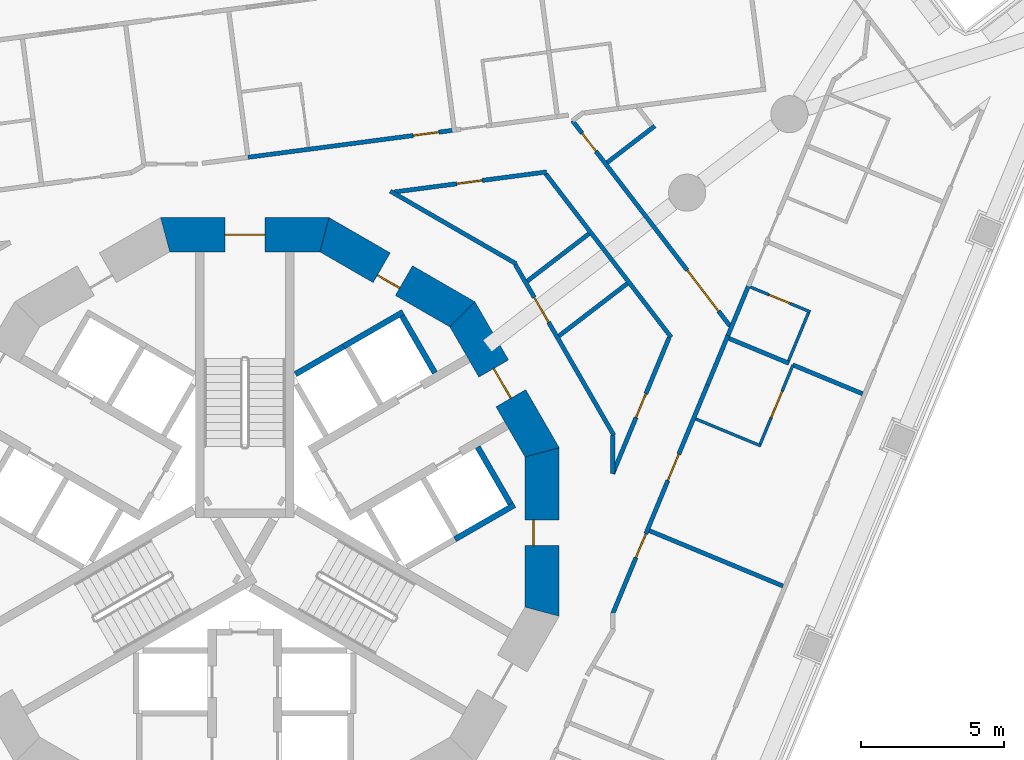
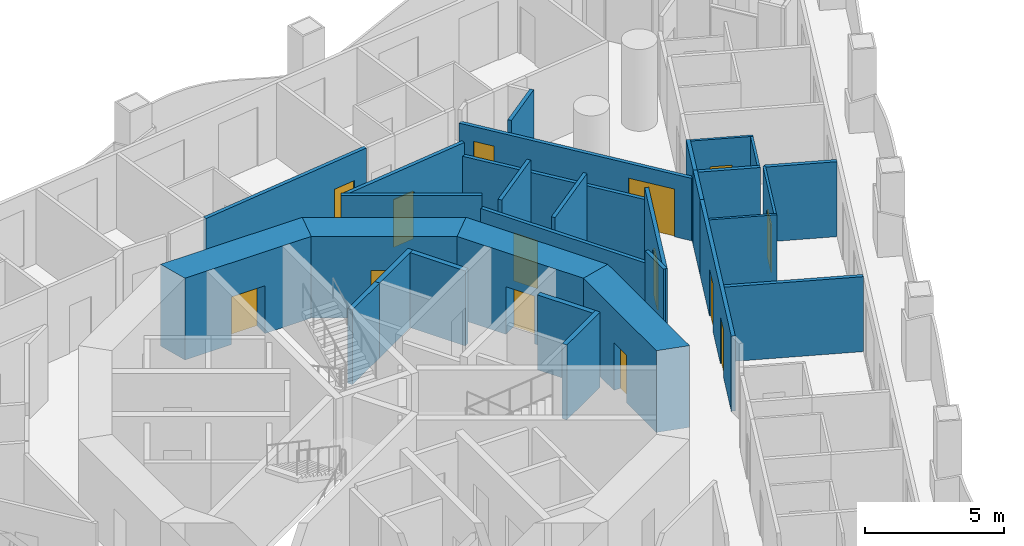
# One storey, part 9 of 19: 30 walls, 14 doors, 14 openings.
"""IFC4 building model written with IfcOpenShell, lengths in metres."""

import ifcopenshell
import ifcopenshell.guid

model = None  # the IFC model being written
_history = None  # IfcOwnerHistory: only IFC2X3 demands one
_inside = {}  # id of a spatial element -> (the spatial element, [elements in it])
_under = {}  # id of a project, library or spatial element -> (it, [spatial elements below it])
_declared = {}  # id of a project -> (the project, [libraries it declares])
_typed = {}  # id of a type object -> (the type object, [elements of that type])
_made_of = {}  # id of a material, layer set ... -> (it, [elements and type objects made of it])


def new_model(schema):
    """Start an empty IFC model of exactly this schema.

    Asked for "IFC4X3", IfcOpenShell would pick the latest addendum, in which some entities
    have other attributes; the version numbers below select the first issue.
    IFC2X3 requires an IfcOwnerHistory on every rooted entity: one is made here for all.
    """
    global model, _history
    if schema == "IFC4X3":
        model = ifcopenshell.file(schema_version=(4, 3, 0, 0))
    else:
        model = ifcopenshell.file(schema=schema)
    _inside.clear()
    _under.clear()
    _declared.clear()
    _typed.clear()
    _made_of.clear()
    _history = None
    if model.schema == "IFC2X3":
        org = make("IfcOrganization", Name="unknown")
        user = make(
            "IfcPersonAndOrganization",
            ThePerson=make("IfcPerson", FamilyName="unknown"),
            TheOrganization=org,
        )
        app = make(
            "IfcApplication",
            ApplicationDeveloper=org,
            Version="unknown",
            ApplicationFullName="unknown",
            ApplicationIdentifier="unknown",
        )
        _history = make(
            "IfcOwnerHistory",
            OwningUser=user,
            OwningApplication=app,
            ChangeAction="ADDED",
            CreationDate=0,
        )
    return model


def make(cls, **values):
    """One entity of the class cls with the attributes given. An attribute that is None is left unset."""
    return model.create_entity(
        cls, **{name: value for name, value in values.items() if value is not None}
    )


def rooted(cls, **values):
    """An entity with a GlobalId (a new one), such as an element, a storey or a relation."""
    return make(cls, GlobalId=ifcopenshell.guid.new(), OwnerHistory=_history, **values)


def si_unit(unit_type, name, prefix=None):
    """IfcSIUnit, for example si_unit("LENGTHUNIT", "METRE", prefix="MILLI")."""
    return make("IfcSIUnit", UnitType=unit_type, Prefix=prefix, Name=name)


def assignment(units):
    """IfcUnitAssignment: the units of a project."""
    return None if units is None else make("IfcUnitAssignment", Units=units)


def point(xyz):
    """IfcCartesianPoint."""
    return None if xyz is None else make("IfcCartesianPoint", Coordinates=xyz)


def direction(xyz):
    """IfcDirection."""
    return None if xyz is None else make("IfcDirection", DirectionRatios=xyz)


def frame(location, z_axis=None, x_axis=None):
    """IfcAxis2Placement3D, a coordinate frame: its origin and axes. An axis left out is left unset."""
    return make(
        "IfcAxis2Placement3D",
        Location=point(location),
        Axis=direction(z_axis),
        RefDirection=direction(x_axis),
    )


def frame_2d(location, x_axis=None):
    """IfcAxis2Placement2D, a coordinate frame in the plane: its origin and x axis."""
    return make(
        "IfcAxis2Placement2D", Location=point(location), RefDirection=direction(x_axis)
    )


def origin():
    """The frame at (0, 0, 0) with its axes left unset."""
    return frame((0.0, 0.0, 0.0))


def place(relative_to, where):
    """IfcLocalPlacement: puts the frame where relative to a parent placement (None: the world)."""
    return make(
        "IfcLocalPlacement", PlacementRelTo=relative_to, RelativePlacement=where
    )


def context(
    kind, dimensions, precision=None, world=None, true_north=None, identifier=None
):
    """IfcGeometricRepresentationContext, for example the 3D "Model" context."""
    return make(
        "IfcGeometricRepresentationContext",
        ContextIdentifier=identifier,
        ContextType=kind,
        CoordinateSpaceDimension=dimensions,
        Precision=precision,
        WorldCoordinateSystem=world,
        TrueNorth=true_north,
    )


def subcontext(parent, identifier, kind, view, scale=None):
    """IfcGeometricRepresentationSubContext, for example "Body" below "Model"."""
    return make(
        "IfcGeometricRepresentationSubContext",
        ContextIdentifier=identifier,
        ContextType=kind,
        ParentContext=parent,
        TargetScale=scale,
        TargetView=view,
    )


def project(units=None, contexts=None):
    """IfcProject with its units and contexts."""
    return rooted(
        "IfcProject",
        Name="project",
        RepresentationContexts=contexts,
        UnitsInContext=assignment(units),
    )


def spatial(cls, under=None, at=None, **own):
    """A site, building, storey or space (cls), placed at a placement, below another one or the project."""
    s = rooted(cls, ObjectPlacement=at, **own)
    if under is not None:
        _under.setdefault(under.id(), (under, []))[1].append(s)
    return s


def polyline(points):
    """IfcPolyline through the points."""
    return make("IfcPolyline", Points=[point(p) for p in points])


def profile(cls, at=None, kind="AREA", **sizes):
    """A parametric profile (cls). Its sizes go by their IFC names, for example OverallWidth=200.0."""
    return make(cls, ProfileType=kind, Position=at, **sizes)


def rectangle(**sizes):
    """IfcRectangleProfileDef."""
    return profile("IfcRectangleProfileDef", **sizes)


def outline(outer, holes=None, kind="AREA"):
    """IfcArbitraryClosedProfileDef: a profile drawn as a closed curve; with holes, ...WithVoids."""
    if holes is None:
        return make("IfcArbitraryClosedProfileDef", ProfileType=kind, OuterCurve=outer)
    return make(
        "IfcArbitraryProfileDefWithVoids",
        ProfileType=kind,
        OuterCurve=outer,
        InnerCurves=holes,
    )


def extrude(swept, where, along, depth):
    """IfcExtrudedAreaSolid: the profile swept, set in the frame where, extruded along a direction by depth."""
    return make(
        "IfcExtrudedAreaSolid",
        SweptArea=swept,
        Position=where,
        ExtrudedDirection=direction(along),
        Depth=depth,
    )


def shape(context_of_items, identifier, shape_type, items):
    """IfcShapeRepresentation: the items that make up one representation, for example the "Body"."""
    return make(
        "IfcShapeRepresentation",
        ContextOfItems=context_of_items,
        RepresentationIdentifier=identifier,
        RepresentationType=shape_type,
        Items=items,
    )


def material(Name=None, Category=None):
    """IfcMaterial."""
    return make("IfcMaterial", Name=Name, Category=Category)


def layer(
    of_material, thickness, ventilated=None, Name=None, Category=None, Priority=None
):
    """IfcMaterialLayer: one layer of a wall or slab, of a material (None: an air gap)."""
    return make(
        "IfcMaterialLayer",
        Material=of_material,
        LayerThickness=thickness,
        IsVentilated=ventilated,
        Name=Name,
        Category=Category,
        Priority=Priority,
    )


def layer_set(layers, Name=None):
    """IfcMaterialLayerSet."""
    return make("IfcMaterialLayerSet", MaterialLayers=layers, LayerSetName=Name)


def made_of(thing, what):
    """Note that an element or type object is made of a material, layer set ...; save() writes the relation."""
    if what is not None:
        _made_of.setdefault(what.id(), (what, []))[1].append(thing)
    return thing


def type_object(cls, material=None, **own):
    """A type object (cls), such as IfcWallType, which elements share."""
    return made_of(rooted(cls, **own), material)


def element(
    cls,
    number,
    at=None,
    inside=None,
    cuts=None,
    type_object=None,
    material=None,
    context=None,
    identifier="Body",
    shape_type=None,
    held_by="IfcProductDefinitionShape",
    body=None,
    shapes=None,
    **own,
):
    """One element of the class cls, such as IfcWall. Its Tag is "e" and its number.

    at: its placement. inside: the storey or other place that contains it. cuts: it is an
    opening in that element (IfcRelVoidsElement). A single representation is given by context,
    identifier, shape_type and body (its items); several are given by shapes. held_by: the class
    of the entity that holds the representations. save() writes the other relations.
    """
    e = rooted(cls, Tag="e%d" % number, ObjectPlacement=at, **own)
    if body is not None:
        shapes = [shape(context, identifier, shape_type, body)]
    if shapes is not None:
        e.Representation = make(held_by, Representations=shapes)
    if inside is not None:
        _inside.setdefault(inside.id(), (inside, []))[1].append(e)
    if cuts is not None:
        rooted(
            "IfcRelVoidsElement", RelatingBuildingElement=cuts, RelatedOpeningElement=e
        )
    if type_object is not None:
        _typed.setdefault(type_object.id(), (type_object, []))[1].append(e)
    return made_of(e, material)


def fill(opening, filler):
    """IfcRelFillsElement: the door or window that sits in an opening."""
    return rooted(
        "IfcRelFillsElement",
        RelatingOpeningElement=opening,
        RelatedBuildingElement=filler,
    )


def aggregate(whole, parts):
    """IfcRelAggregates: a whole, such as a stair, and the parts it consists of."""
    return rooted("IfcRelAggregates", RelatingObject=whole, RelatedObjects=parts)


def save(model, path):
    """Write the relations noted so far, then the file.

    IfcRelAggregates (storeys below a building ...), IfcRelContainedInSpatialStructure (elements
    in a storey), IfcRelDefinesByType, IfcRelAssociatesMaterial and IfcRelDeclares: one each for
    every whole, place, type object, material and project.
    """
    for whole, parts in _under.values():
        aggregate(whole, parts)
    for where, things in _inside.values():
        rooted(
            "IfcRelContainedInSpatialStructure",
            RelatedElements=things,
            RelatingStructure=where,
        )
    for kind, things in _typed.values():
        rooted("IfcRelDefinesByType", RelatedObjects=things, RelatingType=kind)
    for what, things in _made_of.values():
        rooted("IfcRelAssociatesMaterial", RelatedObjects=things, RelatingMaterial=what)
    for by, libraries in _declared.values():
        rooted("IfcRelDeclares", RelatingContext=by, RelatedDefinitions=libraries)
    model.write(path)


model = new_model("IFC4")

# Units and contexts
model_context = context("Model", 3, precision=1e-05, world=origin(), true_north=direction((0.0, 1.0)))
body_context = subcontext(model_context, "Body", "Model", "MODEL_VIEW")
ifc_project = project(units=[si_unit("LENGTHUNIT", "METRE"), si_unit("AREAUNIT", "SQUARE_METRE"), si_unit("VOLUMEUNIT", "CUBIC_METRE"), si_unit("PLANEANGLEUNIT", "RADIAN"), si_unit("MASSUNIT", "GRAM", prefix="KILO")], contexts=[model_context])

# Site, building, storey
site_placement = place(None, origin())
site = spatial("IfcSite", under=ifc_project, at=site_placement, CompositionType="ELEMENT")
building_placement = place(site_placement, origin())
building = spatial("IfcBuilding", under=site, at=building_placement, Name="Trine Commons Tower", CompositionType="ELEMENT")
storey_placement = place(building_placement, frame((0.0, 0.0, 75.60009765625)))
storey = spatial("IfcBuildingStorey", under=building, at=storey_placement, Name="L18", CompositionType="ELEMENT", Elevation=75.60009765625)

# Wall, opening, door
ifc_material_1 = material(Name="Concrete C80/95", Category="concrete")
ifc_layer_1 = layer(ifc_material_1, 1.199951171875)
ifc_layer_set_1 = layer_set([ifc_layer_1], Name="Concrete C80/95")
wall_type_1 = type_object("IfcWallType", Name="RC shear wall 1200 mm, C80/95", PredefinedType="SHEAR", material=ifc_layer_set_1)
wall_1_placement = place(storey_placement, frame((90.41162109375, 59.549560546875, 0.0), z_axis=(0.0, 0.0, 1.0), x_axis=(0.0, 1.0, 0.0)))
wall_1 = element("IfcWall", 1, at=wall_1_placement, inside=storey, type_object=wall_type_1, Name="Core wall CWB-01 L18", PredefinedType="SHEAR", context=body_context, shape_type="SweptSolid", body=[
    extrude(outline(polyline([(0.0, -0.60009765625), (5.90087890625, -0.60009765625), (5.57958984375, 0.60009765625), (0.321533203125, 0.60009765625), (0.0, -0.60009765625)])), origin(), (0.0, 0.0, 1.0), 3.599853515625),
])
opening_1_placement = place(wall_1_placement, frame((2.4755859375, 0.0, 0.0)))
opening_1 = element("IfcOpeningElement", 2, at=opening_1_placement, cuts=wall_1, Name="Opening K05.16", PredefinedType="OPENING", context=body_context, shape_type="SweptSolid", body=[
    extrude(rectangle(XDim=0.89990234375, YDim=2.10009765625, at=frame_2d((0.449951171875, 1.050048828125))), frame((0.0, 0.60986328125, 0.0), z_axis=(0.0, -1.0, 0.0), x_axis=(1.0, 0.0, 0.0)), (0.0, 0.0, 1.0), 1.219970703125),
])
ifc_material_2 = material(Name="Steel door leaf, fire-rated", Category="steel")
door_type_1 = type_object("IfcDoorType", Name="Core room door, single leaf 900 x 2100, FD30S", OperationType="SINGLE_SWING_LEFT", PredefinedType="DOOR", material=ifc_material_2)
door_1_placement = place(opening_1_placement, origin())
door_1 = element("IfcDoor", 3, at=door_1_placement, inside=storey, type_object=door_type_1, Name="Door to Accessible WC L18", OperationType="SINGLE_SWING_LEFT", OverallHeight=2.10009765625, OverallWidth=0.89990234375, PredefinedType="DOOR", context=body_context, shape_type="SweptSolid", body=[
    extrude(rectangle(XDim=0.89990234375, YDim=2.10009765625, at=frame_2d((0.449951171875, 1.050048828125))), frame((0.0, 0.3251953125, 0.0), z_axis=(0.0, -1.0, 0.0), x_axis=(1.0, 0.0, 0.0)), (0.0, 0.0, 1.0), 0.050048828125),
])
fill(opening_1, door_1)

wall_2_placement = place(storey_placement, frame((90.491943359375, 65.150390625, 0.0), z_axis=(0.0, 0.0, 1.0), x_axis=(-0.499979111662, 0.866037463336, 0.0)))
wall_2 = element("IfcWall", 4, at=wall_2_placement, inside=storey, type_object=wall_type_1, Name="Core wall CWB-02 L18", PredefinedType="SHEAR", context=body_context, shape_type="SweptSolid", body=[
    extrude(outline(polyline([(0.0, -0.60009765625), (5.901123046875, -0.60009765625), (5.57958984375, 0.60009765625), (0.321533203125, 0.60009765625), (0.0, -0.60009765625)])), origin(), (0.0, 0.0, 1.0), 3.599853515625),
])
opening_2_placement = place(wall_2_placement, frame((2.3505859375, 0.0, 0.0)))
opening_2 = element("IfcOpeningElement", 5, at=opening_2_placement, cuts=wall_2, Name="Opening K05.04", PredefinedType="OPENING", context=body_context, shape_type="SweptSolid", body=[
    extrude(rectangle(XDim=1.199951171875, YDim=2.10009765625, at=frame_2d((0.60009765625, 1.050048828125))), frame((0.0, 0.60986328125, 0.0), z_axis=(0.0, -1.0, 0.0), x_axis=(1.0, 0.0, 0.0)), (0.0, 0.0, 1.0), 1.219970703125),
])
ifc_material_3 = material(Name="Steel door leaves, fire-rated", Category="steel")
door_type_2 = type_object("IfcDoorType", Name="Lobby door, double leaf 1200 x 2100, FD60", OperationType="DOUBLE_DOOR_SINGLE_SWING", PredefinedType="DOOR", material=ifc_material_3)
door_2_placement = place(opening_2_placement, origin())
door_2 = element("IfcDoor", 6, at=door_2_placement, inside=storey, type_object=door_type_2, Name="Lobby door, Passenger lift lobby A L18", OperationType="DOUBLE_DOOR_SINGLE_SWING", OverallHeight=2.10009765625, OverallWidth=1.199951171875, PredefinedType="DOOR", context=body_context, shape_type="SweptSolid", body=[
    extrude(rectangle(XDim=1.199951171875, YDim=2.10009765625, at=frame_2d((0.60009765625, 1.050048828125))), frame((0.0, 0.02490234375, 0.0), z_axis=(0.0, -1.0, 0.0), x_axis=(1.0, 0.0, 0.0)), (0.0, 0.0, 1.0), 0.050048828125),
])
fill(opening_2, door_2)

wall_3_placement = place(storey_placement, frame((87.760986328125, 70.04150390625, 0.0), z_axis=(0.0, 0.0, 1.0), x_axis=(-0.866037463336, 0.499979111662, 0.0)))
wall_3 = element("IfcWall", 7, at=wall_3_placement, inside=storey, type_object=wall_type_1, Name="Core wall CWB-03 L18", PredefinedType="SHEAR", context=body_context, shape_type="SweptSolid", body=[
    extrude(outline(polyline([(0.0, -0.60009765625), (5.901123046875, -0.60009765625), (5.57958984375, 0.60009765625), (0.321533203125, 0.60009765625), (0.0, -0.60009765625)])), origin(), (0.0, 0.0, 1.0), 3.599853515625),
])
opening_3_placement = place(wall_3_placement, frame((2.526611328125, 0.0, 0.0)))
opening_3 = element("IfcOpeningElement", 8, at=opening_3_placement, cuts=wall_3, Name="Opening K05.11", PredefinedType="OPENING", context=body_context, shape_type="SweptSolid", body=[
    extrude(rectangle(XDim=0.89990234375, YDim=2.10009765625, at=frame_2d((0.449951171875, 1.050048828125))), frame((0.0, 0.60986328125, 0.0), z_axis=(0.0, -1.0, 0.0), x_axis=(1.0, 0.0, 0.0)), (0.0, 0.0, 1.0), 1.219970703125),
])
door_3_placement = place(opening_3_placement, origin())
door_3 = element("IfcDoor", 9, at=door_3_placement, inside=storey, type_object=door_type_1, Name="Door to Core WC L18", OperationType="SINGLE_SWING_RIGHT", OverallHeight=2.10009765625, OverallWidth=0.89990234375, PredefinedType="DOOR", context=body_context, shape_type="SweptSolid", body=[
    extrude(rectangle(XDim=0.89990234375, YDim=2.10009765625, at=frame_2d((0.449951171875, 1.050048828125))), frame((0.0, 0.3251953125, 0.0), z_axis=(0.0, -1.0, 0.0), x_axis=(1.0, 0.0, 0.0)), (0.0, 0.0, 1.0), 0.050048828125),
])
fill(opening_3, door_3)

wall_4_placement = place(storey_placement, frame((82.950439453125, 72.91162109375, 0.0), z_axis=(0.0, 0.0, 1.0), x_axis=(-1.0, 0.0, 0.0)))
wall_4 = element("IfcWall", 10, at=wall_4_placement, inside=storey, type_object=wall_type_1, Name="Core wall CWB-04 L18", PredefinedType="SHEAR", context=body_context, shape_type="SweptSolid", body=[
    extrude(outline(polyline([(0.0, -0.60009765625), (5.90087890625, -0.60009765625), (5.57958984375, 0.60009765625), (0.321533203125, 0.60009765625), (0.0, -0.60009765625)])), origin(), (0.0, 0.0, 1.0), 3.599853515625),
])
opening_4_placement = place(wall_4_placement, frame((2.25048828125, 0.0, 0.0)))
opening_4 = element("IfcOpeningElement", 11, at=opening_4_placement, cuts=wall_4, Name="Opening K05.01", PredefinedType="OPENING", context=body_context, shape_type="SweptSolid", body=[
    extrude(rectangle(XDim=1.39990234375, YDim=2.10009765625, at=frame_2d((0.699951171875, 1.050048828125))), frame((0.0, 0.60986328125, 0.0), z_axis=(0.0, -1.0, 0.0), x_axis=(1.0, 0.0, 0.0)), (0.0, 0.0, 1.0), 1.219970703125),
])
door_type_3 = type_object("IfcDoorType", Name="Stair door, double leaf 1400 x 2100, FD90", OperationType="DOUBLE_DOOR_SINGLE_SWING", PredefinedType="DOOR", material=ifc_material_3)
door_4_placement = place(opening_4_placement, origin())
door_4 = element("IfcDoor", 12, at=door_4_placement, inside=storey, type_object=door_type_3, Name="Stair door to Exit stair ST1A L18", OperationType="DOUBLE_DOOR_SINGLE_SWING", OverallHeight=2.10009765625, OverallWidth=1.39990234375, PredefinedType="DOOR", context=body_context, shape_type="SweptSolid", body=[
    extrude(rectangle(XDim=1.39990234375, YDim=2.10009765625, at=frame_2d((0.699951171875, 1.050048828125))), frame((0.0, 0.02490234375, 0.0), z_axis=(0.0, -1.0, 0.0), x_axis=(1.0, 0.0, 0.0)), (0.0, 0.0, 1.0), 0.050048828125),
])
fill(opening_4, door_4)

# Walls
ifc_material_4 = material(Name="Fire-rated gypsum shaft wall system")
ifc_layer_2 = layer(ifc_material_4, 0.199951171875)
ifc_layer_set_2 = layer_set([ifc_layer_2], Name="Fire-rated gypsum shaft wall system")
wall_type_2 = type_object("IfcWallType", Name="Shaft wall 200 mm, EI 120", PredefinedType="PARTITIONING", material=ifc_layer_set_2)
wall_5_placement = place(storey_placement, frame((81.77490234375, 68.028076171875, 0.0), z_axis=(0.0, 0.0, 1.0), x_axis=(0.866052014814, 0.499953905513, 0.0)))
element("IfcWall", 13, at=wall_5_placement, inside=storey, type_object=wall_type_2, Name="Shaft wall L18", PredefinedType="PARTITIONING", context=body_context, shape_type="SweptSolid", body=[
    extrude(rectangle(XDim=1.947998046875, YDim=0.199951171875, at=frame_2d((0.97412109375, 0.0))), origin(), (0.0, 0.0, 1.0), 3.2998046875),
])
wall_6_placement = place(storey_placement, frame((83.4619140625, 69.001953125, 0.0), z_axis=(0.0, 0.0, 1.0), x_axis=(0.866202511239, 0.499693115345, 0.0)))
element("IfcWall", 14, at=wall_6_placement, inside=storey, type_object=wall_type_2, Name="Shaft wall L18", PredefinedType="PARTITIONING", context=body_context, shape_type="SweptSolid", body=[
    extrude(rectangle(XDim=2.4013671875, YDim=0.199951171875, at=frame_2d((1.20068359375, 0.0))), origin(), (0.0, 0.0, 1.0), 3.2998046875),
])
wall_7_placement = place(storey_placement, frame((86.655029296875, 68.073974609375, 0.0), z_axis=(0.0, 0.0, 1.0), x_axis=(-0.500215680983, 0.865900844496, 0.0)))
element("IfcWall", 15, at=wall_7_placement, inside=storey, type_object=wall_type_2, Name="Shaft wall L18", PredefinedType="PARTITIONING", context=body_context, shape_type="SweptSolid", body=[
    extrude(rectangle(XDim=2.29931640625, YDim=0.199951171875, at=frame_2d((1.149658203125, 0.0))), origin(), (0.0, 0.0, 1.0), 3.2998046875),
])
wall_8_placement = place(storey_placement, frame((87.362060546875, 62.248046875, 0.0), z_axis=(0.0, 0.0, 1.0), x_axis=(0.866177122335, 0.499737123639, 0.0)))
element("IfcWall", 16, at=wall_8_placement, inside=storey, type_object=wall_type_2, Name="Shaft wall L18", PredefinedType="PARTITIONING", context=body_context, shape_type="SweptSolid", body=[
    extrude(rectangle(XDim=2.401123046875, YDim=0.199951171875, at=frame_2d((1.20068359375, 0.0))), origin(), (0.0, 0.0, 1.0), 3.2998046875),
])
wall_9_placement = place(storey_placement, frame((88.155029296875, 65.47607421875, 0.0), z_axis=(0.0, 0.0, 1.0), x_axis=(0.500136062276, -0.86594683394, 0.0)))
element("IfcWall", 17, at=wall_9_placement, inside=storey, type_object=wall_type_2, Name="Shaft wall L18", PredefinedType="PARTITIONING", context=body_context, shape_type="SweptSolid", body=[
    extrude(rectangle(XDim=2.299072265625, YDim=0.199951171875, at=frame_2d((1.1494140625, 0.0))), origin(), (0.0, 0.0, 1.0), 3.2998046875),
])

# Wall, opening, door
ifc_material_5 = material(Name="Gypsum plasterboard on steel stud", Category="steel")
ifc_layer_3 = layer(ifc_material_5, 0.14990234375)
ifc_layer_set_3 = layer_set([ifc_layer_3], Name="Gypsum plasterboard on steel stud")
wall_type_3 = type_object("IfcWallType", Name="Unit and corridor wall 150 mm, EI 60", PredefinedType="PARTITIONING", material=ifc_layer_set_3)
wall_10_placement = place(storey_placement, frame((80.10595703125, 75.623046875, 0.0), z_axis=(0.0, 0.0, 1.0), x_axis=(0.991433895308, 0.130609460741, 0.0)))
wall_10 = element("IfcWall", 18, at=wall_10_placement, inside=storey, type_object=wall_type_3, Name="Partition 080", PredefinedType="PARTITIONING", context=body_context, shape_type="SweptSolid", body=[
    extrude(rectangle(XDim=7.295654296875, YDim=0.14990234375, at=frame_2d((3.64794921875, 0.0))), origin(), (0.0, 0.0, 1.0), 3.2998046875),
])
opening_5_placement = place(wall_10_placement, frame((5.847900390625, 0.0, 0.0)))
opening_5 = element("IfcOpeningElement", 19, at=opening_5_placement, cuts=wall_10, Name="Opening D-2C12", PredefinedType="OPENING", context=body_context, shape_type="SweptSolid", body=[
    extrude(rectangle(XDim=0.89990234375, YDim=2.10009765625, at=frame_2d((0.449951171875, 1.050048828125))), frame((0.0, 0.0849609375, 0.0), z_axis=(0.0, -1.0, 0.0), x_axis=(1.0, 0.0, 0.0)), (0.0, 0.0, 1.0), 0.169921875),
])
ifc_material_6 = material(Name="Timber fire door set", Category="wood")
door_type_4 = type_object("IfcDoorType", Name="Bedroom door 900 x 2100, FD30S", OperationType="NOTDEFINED", PredefinedType="DOOR", material=ifc_material_6)
door_5_placement = place(opening_5_placement, origin())
door_5 = element("IfcDoor", 20, at=door_5_placement, inside=storey, type_object=door_type_4, Name="Door D-2C12", OperationType="SINGLE_SWING_RIGHT", OverallHeight=2.10009765625, OverallWidth=0.89990234375, PredefinedType="DOOR", context=body_context, shape_type="SweptSolid", body=[
    extrude(rectangle(XDim=0.89990234375, YDim=2.10009765625, at=frame_2d((0.449951171875, 1.050048828125))), frame((0.0, 0.02490234375, 0.0), z_axis=(0.0, -1.0, 0.0), x_axis=(1.0, 0.0, 0.0)), (0.0, 0.0, 1.0), 0.050048828125),
])
fill(opening_5, door_5)

# Wall
wall_11_placement = place(storey_placement, frame((85.095947265625, 74.4384765625, 0.0), z_axis=(0.0, 0.0, 1.0), x_axis=(0.866036051865, -0.49998155653, 0.0)))
element("IfcWall", 21, at=wall_11_placement, inside=storey, type_object=wall_type_3, Name="Partition 093", PredefinedType="PARTITIONING", context=body_context, shape_type="SweptSolid", body=[
    extrude(rectangle(XDim=5.084228515625, YDim=0.14990234375, at=frame_2d((2.5419921875, 0.0))), origin(), (0.0, 0.0, 1.0), 3.2998046875),
])

# Wall, opening, door
wall_12_placement = place(storey_placement, frame((85.23828125, 74.40869140625, 0.0), z_axis=(0.0, 0.0, 1.0), x_axis=(0.991440693098, 0.130557849512, 0.0)))
wall_12 = element("IfcWall", 22, at=wall_12_placement, inside=storey, type_object=wall_type_3, Name="Partition 095", PredefinedType="PARTITIONING", context=body_context, shape_type="SweptSolid", body=[
    extrude(rectangle(XDim=5.378173828125, YDim=0.14990234375, at=frame_2d((2.68896484375, 0.0))), origin(), (0.0, 0.0, 1.0), 3.2998046875),
])
opening_6_placement = place(wall_12_placement, frame((2.201416015625, 0.0, 0.0)))
opening_6 = element("IfcOpeningElement", 23, at=opening_6_placement, cuts=wall_12, Name="Opening D-2C35", PredefinedType="OPENING", context=body_context, shape_type="SweptSolid", body=[
    extrude(rectangle(XDim=0.89990234375, YDim=2.10009765625, at=frame_2d((0.449951171875, 1.050048828125))), frame((0.0, 0.0849609375, 0.0), z_axis=(0.0, -1.0, 0.0), x_axis=(1.0, 0.0, 0.0)), (0.0, 0.0, 1.0), 0.169921875),
])
door_type_5 = type_object("IfcDoorType", Name="Service door 900 x 2100, FD30S", OperationType="NOTDEFINED", PredefinedType="DOOR", material=ifc_material_6)
door_6_placement = place(opening_6_placement, frame((0.89990234375, 0.0, 0.0), z_axis=(0.0, 0.0, 1.0), x_axis=(-1.0, 0.0, 0.0)))
door_6 = element("IfcDoor", 24, at=door_6_placement, inside=storey, type_object=door_type_5, Name="Door D-2C35", OperationType="SINGLE_SWING_RIGHT", OverallHeight=2.10009765625, OverallWidth=0.89990234375, PredefinedType="DOOR", context=body_context, shape_type="SweptSolid", body=[
    extrude(rectangle(XDim=0.89990234375, YDim=2.10009765625, at=frame_2d((0.449951171875, 1.050048828125))), frame((0.0, 0.02490234375, 0.0), z_axis=(0.0, -1.0, 0.0), x_axis=(1.0, 0.0, 0.0)), (0.0, 0.0, 1.0), 0.050048828125),
])
fill(opening_6, door_6)

wall_13_placement = place(storey_placement, frame((89.471435546875, 71.868896484375, 0.0), z_axis=(0.0, 0.0, 1.0), x_axis=(0.50000193825, -0.866024284732, 0.0)))
wall_13 = element("IfcWall", 25, at=wall_13_placement, inside=storey, type_object=wall_type_3, Name="Partition 113", PredefinedType="PARTITIONING", context=body_context, shape_type="SweptSolid", body=[
    extrude(rectangle(XDim=6.90625, YDim=0.14990234375, at=frame_2d((3.453125, 0.0))), origin(), (0.0, 0.0, 1.0), 2.75),
])
opening_7_placement = place(wall_13_placement, frame((1.3330078125, 0.0, 0.0)))
opening_7 = element("IfcOpeningElement", 26, at=opening_7_placement, cuts=wall_13, Name="Opening D-2C41", PredefinedType="OPENING", context=body_context, shape_type="SweptSolid", body=[
    extrude(rectangle(XDim=1.0, YDim=2.10009765625, at=frame_2d((0.5, 1.050048828125))), frame((0.0, 0.0849609375, 0.0), z_axis=(0.0, -1.0, 0.0), x_axis=(1.0, 0.0, 0.0)), (0.0, 0.0, 1.0), 0.169921875),
])
ifc_material_7 = material(Name="Painted timber", Category="wood")
door_type_6 = type_object("IfcDoorType", Name="Toilet door 1000 x 2100, NOT RATED", OperationType="NOTDEFINED", PredefinedType="DOOR", material=ifc_material_7)
door_7_placement = place(opening_7_placement, origin())
door_7 = element("IfcDoor", 27, at=door_7_placement, inside=storey, type_object=door_type_6, Name="Door D-2C41", OperationType="SINGLE_SWING_LEFT", OverallHeight=2.10009765625, OverallWidth=1.0, PredefinedType="DOOR", context=body_context, shape_type="SweptSolid", body=[
    extrude(rectangle(XDim=1.0, YDim=2.10009765625, at=frame_2d((0.5, 1.050048828125))), frame((0.0, 0.02490234375, 0.0), z_axis=(0.0, -1.0, 0.0), x_axis=(1.0, 0.0, 0.0)), (0.0, 0.0, 1.0), 0.050048828125),
])
fill(opening_7, door_7)

# Walls
wall_14_placement = place(storey_placement, frame((89.892578125, 71.28759765625, 0.0), z_axis=(0.0, 0.0, 1.0), x_axis=(0.793249929781, 0.608896172515, 0.0)))
element("IfcWall", 28, at=wall_14_placement, inside=storey, type_object=wall_type_3, Name="Partition 114", PredefinedType="PARTITIONING", context=body_context, shape_type="SweptSolid", body=[
    extrude(rectangle(XDim=2.72412109375, YDim=0.14990234375, at=frame_2d((1.362060546875, 0.0))), origin(), (0.0, 0.0, 1.0), 3.2998046875),
])
wall_15_placement = place(storey_placement, frame((90.541748046875, 75.04150390625, 0.0), z_axis=(0.0, 0.0, 1.0), x_axis=(0.608724186816, -0.793381915842, 0.0)))
element("IfcWall", 29, at=wall_15_placement, inside=storey, type_object=wall_type_3, Name="Partition 118", PredefinedType="PARTITIONING", context=body_context, shape_type="SweptSolid", body=[
    extrude(rectangle(XDim=7.21484375, YDim=0.14990234375, at=frame_2d((3.607421875, 0.0))), origin(), (0.0, 0.0, 1.0), 2.75),
])
wall_16_placement = place(storey_placement, frame((91.00146484375, 69.36669921875, 0.0), z_axis=(0.0, 0.0, 1.0), x_axis=(0.79348121318, 0.608594745565, 0.0)))
element("IfcWall", 30, at=wall_16_placement, inside=storey, type_object=wall_type_3, Name="Partition 124", PredefinedType="PARTITIONING", context=body_context, shape_type="SweptSolid", body=[
    extrude(rectangle(XDim=3.0146484375, YDim=0.14990234375, at=frame_2d((1.50732421875, 0.0))), origin(), (0.0, 0.0, 1.0), 3.2998046875),
])

# Wall, openings, doors
wall_17_placement = place(storey_placement, frame((91.47412109375, 76.906005859375, 0.0), z_axis=(0.0, 0.0, 1.0), x_axis=(0.608691769464, -0.793406787081, 0.0)))
wall_17 = element("IfcWall", 31, at=wall_17_placement, inside=storey, type_object=wall_type_3, Name="Partition 128", PredefinedType="PARTITIONING", context=body_context, shape_type="SweptSolid", body=[
    extrude(rectangle(XDim=9.05908203125, YDim=0.14990234375, at=frame_2d((4.529541015625, 0.0))), origin(), (0.0, 0.0, 1.0), 2.75),
])
opening_8_placement = place(wall_17_placement, frame((6.606201171875, 0.0, 0.0)))
opening_8 = element("IfcOpeningElement", 32, at=opening_8_placement, cuts=wall_17, Name="Opening D-2C01", PredefinedType="OPENING", context=body_context, shape_type="SweptSolid", body=[
    extrude(rectangle(XDim=1.800048828125, YDim=2.10009765625, at=frame_2d((0.89990234375, 1.050048828125))), frame((0.0, 0.0849609375, 0.0), z_axis=(0.0, -1.0, 0.0), x_axis=(1.0, 0.0, 0.0)), (0.0, 0.0, 1.0), 0.169921875),
])
opening_9_placement = place(wall_17_placement, frame((0.553955078125, 0.0, 0.0)))
opening_9 = element("IfcOpeningElement", 33, at=opening_9_placement, cuts=wall_17, Name="Opening D-2C04", PredefinedType="OPENING", context=body_context, shape_type="SweptSolid", body=[
    extrude(rectangle(XDim=0.800048828125, YDim=2.10009765625, at=frame_2d((0.39990234375, 1.050048828125))), frame((0.0, 0.0849609375, 0.0), z_axis=(0.0, -1.0, 0.0), x_axis=(1.0, 0.0, 0.0)), (0.0, 0.0, 1.0), 0.169921875),
])
door_type_7 = type_object("IfcDoorType", Name="Cluster entrance door 1800 x 2100, double leaf, FD30S", OperationType="DOUBLE_DOOR_DOUBLE_SWING", PredefinedType="DOOR", material=ifc_material_6)
door_8_placement = place(opening_8_placement, origin())
door_8 = element("IfcDoor", 34, at=door_8_placement, inside=storey, type_object=door_type_7, Name="Door D-2C01", OperationType="DOUBLE_DOOR_DOUBLE_SWING", OverallHeight=2.10009765625, OverallWidth=1.800048828125, PredefinedType="DOOR", context=body_context, shape_type="SweptSolid", body=[
    extrude(rectangle(XDim=1.800048828125, YDim=2.10009765625, at=frame_2d((0.89990234375, 1.050048828125))), frame((0.0, 0.02490234375, 0.0), z_axis=(0.0, -1.0, 0.0), x_axis=(1.0, 0.0, 0.0)), (0.0, 0.0, 1.0), 0.050048828125),
])
fill(opening_8, door_8)
door_type_8 = type_object("IfcDoorType", Name="Toilet door 800 x 2100, NOT RATED", OperationType="NOTDEFINED", PredefinedType="DOOR", material=ifc_material_7)
door_9_placement = place(opening_9_placement, origin())
door_9 = element("IfcDoor", 35, at=door_9_placement, inside=storey, type_object=door_type_8, Name="Door D-2C04", OperationType="SINGLE_SWING_LEFT", OverallHeight=2.10009765625, OverallWidth=0.800048828125, PredefinedType="DOOR", context=body_context, shape_type="SweptSolid", body=[
    extrude(rectangle(XDim=0.800048828125, YDim=2.10009765625, at=frame_2d((0.39990234375, 1.050048828125))), frame((0.0, 0.02490234375, 0.0), z_axis=(0.0, -1.0, 0.0), x_axis=(1.0, 0.0, 0.0)), (0.0, 0.0, 1.0), 0.050048828125),
])
fill(opening_9, door_9)

# Wall
wall_18_placement = place(storey_placement, frame((92.6923828125, 75.440673828125, 0.0), z_axis=(0.0, 0.0, 1.0), x_axis=(0.793198338244, 0.608963378379, 0.0)))
element("IfcWall", 36, at=wall_18_placement, inside=storey, type_object=wall_type_3, Name="Partition 136", PredefinedType="PARTITIONING", context=body_context, shape_type="SweptSolid", body=[
    extrude(rectangle(XDim=2.100341796875, YDim=0.14990234375, at=frame_2d((1.05029296875, 0.0))), origin(), (0.0, 0.0, 1.0), 3.2998046875),
])

# Wall, openings, doors
wall_19_placement = place(storey_placement, frame((92.886962890625, 59.64599609375, 0.0), z_axis=(0.0, 0.0, 1.0), x_axis=(0.382685755008, 0.923878570438, 0.0)))
wall_19 = element("IfcWall", 37, at=wall_19_placement, inside=storey, type_object=wall_type_3, Name="Partition 139", PredefinedType="PARTITIONING", context=body_context, shape_type="SweptSolid", body=[
    extrude(rectangle(XDim=8.673095703125, YDim=0.14990234375, at=frame_2d((4.33642578125, 0.0))), origin(), (0.0, 0.0, 1.0), 3.2998046875),
])
opening_10_placement = place(wall_19_placement, frame((5.0400390625, 0.0, 0.0)))
opening_10 = element("IfcOpeningElement", 38, at=opening_10_placement, cuts=wall_19, Name="Opening D-2C18", PredefinedType="OPENING", context=body_context, shape_type="SweptSolid", body=[
    extrude(rectangle(XDim=1.0, YDim=2.10009765625, at=frame_2d((0.5, 1.050048828125))), frame((0.0, 0.0849609375, 0.0), z_axis=(0.0, -1.0, 0.0), x_axis=(1.0, 0.0, 0.0)), (0.0, 0.0, 1.0), 0.169921875),
])
opening_11_placement = place(wall_19_placement, frame((2.120361328125, 0.0, 0.0)))
opening_11 = element("IfcOpeningElement", 39, at=opening_11_placement, cuts=wall_19, Name="Opening D-2C19", PredefinedType="OPENING", context=body_context, shape_type="SweptSolid", body=[
    extrude(rectangle(XDim=0.89990234375, YDim=2.10009765625, at=frame_2d((0.449951171875, 1.050048828125))), frame((0.0, 0.0849609375, 0.0), z_axis=(0.0, -1.0, 0.0), x_axis=(1.0, 0.0, 0.0)), (0.0, 0.0, 1.0), 0.169921875),
])
door_type_9 = type_object("IfcDoorType", Name="Bedroom door 1000 x 2100, FD30S", OperationType="NOTDEFINED", PredefinedType="DOOR", material=ifc_material_6)
door_10_placement = place(opening_10_placement, frame((1.0, 0.0, 0.0), z_axis=(0.0, 0.0, 1.0), x_axis=(-1.0, 0.0, 0.0)))
door_10 = element("IfcDoor", 40, at=door_10_placement, inside=storey, type_object=door_type_9, Name="Door D-2C18", OperationType="SINGLE_SWING_LEFT", OverallHeight=2.10009765625, OverallWidth=1.0, PredefinedType="DOOR", context=body_context, shape_type="SweptSolid", body=[
    extrude(rectangle(XDim=1.0, YDim=2.10009765625, at=frame_2d((0.5, 1.050048828125))), frame((0.0, 0.02490234375, 0.0), z_axis=(0.0, -1.0, 0.0), x_axis=(1.0, 0.0, 0.0)), (0.0, 0.0, 1.0), 0.050048828125),
])
fill(opening_10, door_10)
door_11_placement = place(opening_11_placement, frame((0.89990234375, 0.0, 0.0), z_axis=(0.0, 0.0, 1.0), x_axis=(-1.0, 0.0, 0.0)))
door_11 = element("IfcDoor", 41, at=door_11_placement, inside=storey, type_object=door_type_4, Name="Door D-2C19", OperationType="SINGLE_SWING_RIGHT", OverallHeight=2.10009765625, OverallWidth=0.89990234375, PredefinedType="DOOR", context=body_context, shape_type="SweptSolid", body=[
    extrude(rectangle(XDim=0.89990234375, YDim=2.10009765625, at=frame_2d((0.449951171875, 1.050048828125))), frame((0.0, 0.02490234375, 0.0), z_axis=(0.0, -1.0, 0.0), x_axis=(1.0, 0.0, 0.0)), (0.0, 0.0, 1.0), 0.050048828125),
])
fill(opening_11, door_11)

# Wall
wall_20_placement = place(storey_placement, frame((92.886962890625, 64.5419921875, 0.0), z_axis=(0.0, 0.0, 1.0), x_axis=(0.0, 1.0, 0.0)))
element("IfcWall", 42, at=wall_20_placement, inside=storey, type_object=wall_type_3, Name="Partition 140", PredefinedType="PARTITIONING", context=body_context, shape_type="SweptSolid", body=[
    extrude(rectangle(XDim=1.3359375, YDim=0.14990234375, at=frame_2d((0.66796875, 0.0))), origin(), (0.0, 0.0, 1.0), 3.2998046875),
])

# Wall, opening, door
wall_21_placement = place(storey_placement, frame((92.886962890625, 64.5458984375, 0.0), z_axis=(0.0, 0.0, 1.0), x_axis=(0.382690656651, 0.923876540081, 0.0)))
wall_21 = element("IfcWall", 43, at=wall_21_placement, inside=storey, type_object=wall_type_3, Name="Partition 141", PredefinedType="PARTITIONING", context=body_context, shape_type="SweptSolid", body=[
    extrude(rectangle(XDim=5.154052734375, YDim=0.14990234375, at=frame_2d((2.5771484375, 0.0))), origin(), (0.0, 0.0, 1.0), 3.2998046875),
])
opening_12_placement = place(wall_21_placement, frame((2.126953125, 0.0, 0.0)))
opening_12 = element("IfcOpeningElement", 44, at=opening_12_placement, cuts=wall_21, Name="Opening D-2C36", PredefinedType="OPENING", context=body_context, shape_type="SweptSolid", body=[
    extrude(rectangle(XDim=0.89990234375, YDim=2.10009765625, at=frame_2d((0.449951171875, 1.050048828125))), frame((0.0, 0.0849609375, 0.0), z_axis=(0.0, -1.0, 0.0), x_axis=(1.0, 0.0, 0.0)), (0.0, 0.0, 1.0), 0.169921875),
])
door_12_placement = place(opening_12_placement, origin())
door_12 = element("IfcDoor", 45, at=door_12_placement, inside=storey, type_object=door_type_5, Name="Door D-2C36", OperationType="SINGLE_SWING_RIGHT", OverallHeight=2.10009765625, OverallWidth=0.89990234375, PredefinedType="DOOR", context=body_context, shape_type="SweptSolid", body=[
    extrude(rectangle(XDim=0.89990234375, YDim=2.10009765625, at=frame_2d((0.449951171875, 1.050048828125))), frame((0.0, 0.02490234375, 0.0), z_axis=(0.0, -1.0, 0.0), x_axis=(1.0, 0.0, 0.0)), (0.0, 0.0, 1.0), 0.050048828125),
])
fill(opening_12, door_12)

# Walls
wall_22_placement = place(storey_placement, frame((94.169189453125, 62.54638671875, 0.0), z_axis=(0.0, 0.0, 1.0), x_axis=(0.923879340067, -0.382683896966, 0.0)))
element("IfcWall", 46, at=wall_22_placement, inside=storey, type_object=wall_type_3, Name="Partition 147", PredefinedType="PARTITIONING", context=body_context, shape_type="SweptSolid", body=[
    extrude(rectangle(XDim=5.064208984375, YDim=0.14990234375, at=frame_2d((2.5322265625, 0.0))), origin(), (0.0, 0.0, 1.0), 3.2998046875),
])
wall_23_placement = place(storey_placement, frame((96.2060546875, 67.658935546875, 0.0), z_axis=(0.0, 0.0, 1.0), x_axis=(0.382317087309, 0.924031192521, 0.0)))
element("IfcWall", 47, at=wall_23_placement, inside=storey, type_object=wall_type_3, Name="Partition 150", PredefinedType="PARTITIONING", context=body_context, shape_type="SweptSolid", body=[
    extrude(rectangle(XDim=1.864013671875, YDim=0.14990234375, at=frame_2d((0.93212890625, 0.0))), origin(), (0.0, 0.0, 1.0), 3.2998046875),
])
wall_24_placement = place(storey_placement, frame((96.886962890625, 69.303955078125, 0.0), z_axis=(0.0, 0.0, 1.0), x_axis=(0.382516455335, 0.923948678985, 0.0)))
element("IfcWall", 48, at=wall_24_placement, inside=storey, type_object=wall_type_3, Name="Partition 151", PredefinedType="PARTITIONING", context=body_context, shape_type="SweptSolid", body=[
    extrude(rectangle(XDim=2.0078125, YDim=0.14990234375, at=frame_2d((1.00390625, 0.0))), origin(), (0.0, 0.0, 1.0), 3.2998046875),
])
wall_25_placement = place(storey_placement, frame((96.957275390625, 69.279296875, 0.0), z_axis=(0.0, 0.0, 1.0), x_axis=(0.923764335003, -0.382961425442, 0.0)))
element("IfcWall", 49, at=wall_25_placement, inside=storey, type_object=wall_type_3, Name="Partition 152", PredefinedType="PARTITIONING", context=body_context, shape_type="SweptSolid", body=[
    extrude(rectangle(XDim=2.275146484375, YDim=0.14990234375, at=frame_2d((1.1376953125, 0.0))), origin(), (0.0, 0.0, 1.0), 3.2998046875),
])
wall_26_placement = place(storey_placement, frame((99.194091796875, 68.35205078125, 0.0), z_axis=(0.0, 0.0, 1.0), x_axis=(0.923976311706, -0.382449703106, 0.0)))
element("IfcWall", 50, at=wall_26_placement, inside=storey, type_object=wall_type_3, Name="Partition 161", PredefinedType="PARTITIONING", context=body_context, shape_type="SweptSolid", body=[
    extrude(rectangle(XDim=2.642822265625, YDim=0.14990234375, at=frame_2d((1.3212890625, 0.0))), origin(), (0.0, 0.0, 1.0), 3.2998046875),
])
ifc_layer_4 = layer(ifc_material_5, 0.10009765625)
ifc_layer_set_4 = layer_set([ifc_layer_4], Name="Gypsum plasterboard on steel stud")
wall_type_4 = type_object("IfcWallType", Name="Unit partition 100 mm, no rating", PredefinedType="PARTITIONING", material=ifc_layer_set_4)
wall_27_placement = place(storey_placement, frame((95.790283203125, 66.461181640625, 0.0), z_axis=(0.0, 0.0, 1.0), x_axis=(0.923877385773, -0.38268861501, 0.0)))
element("IfcWall", 51, at=wall_27_placement, inside=storey, type_object=wall_type_4, Name="Partition 149", PredefinedType="PARTITIONING", context=body_context, shape_type="SweptSolid", body=[
    extrude(rectangle(XDim=2.475341796875, YDim=0.10009765625, at=frame_2d((1.23779296875, 0.0))), origin(), (0.0, 0.0, 1.0), 3.2998046875),
])

# Wall, opening, door
wall_28_placement = place(storey_placement, frame((97.704345703125, 71.080322265625, 0.0), z_axis=(0.0, 0.0, 1.0), x_axis=(0.923916126796, -0.382595073996, 0.0)))
wall_28 = element("IfcWall", 52, at=wall_28_placement, inside=storey, type_object=wall_type_4, Name="Partition 155", PredefinedType="PARTITIONING", context=body_context, shape_type="SweptSolid", body=[
    extrude(rectangle(XDim=2.27490234375, YDim=0.10009765625, at=frame_2d((1.137451171875, 0.0))), origin(), (0.0, 0.0, 1.0), 3.2998046875),
])
opening_13_placement = place(wall_28_placement, frame((0.71240234375, 0.0, 0.0)))
opening_13 = element("IfcOpeningElement", 53, at=opening_13_placement, cuts=wall_28, Name="Opening D-2C50", PredefinedType="OPENING", context=body_context, shape_type="SweptSolid", body=[
    extrude(rectangle(XDim=0.800048828125, YDim=2.10009765625, at=frame_2d((0.39990234375, 1.050048828125))), frame((0.0, 0.06005859375, 0.0), z_axis=(0.0, -1.0, 0.0), x_axis=(1.0, 0.0, 0.0)), (0.0, 0.0, 1.0), 0.1201171875),
])
door_type_10 = type_object("IfcDoorType", Name="Internal door 800 x 2100, NOT RATED", OperationType="NOTDEFINED", PredefinedType="DOOR", material=ifc_material_7)
door_13_placement = place(opening_13_placement, origin())
door_13 = element("IfcDoor", 54, at=door_13_placement, inside=storey, type_object=door_type_10, Name="Door D-2C50", OperationType="SINGLE_SWING_LEFT", OverallHeight=2.10009765625, OverallWidth=0.800048828125, PredefinedType="DOOR", context=body_context, shape_type="SweptSolid", body=[
    extrude(rectangle(XDim=0.800048828125, YDim=2.10009765625, at=frame_2d((0.39990234375, 1.050048828125))), frame((0.0, 0.02490234375, 0.0), z_axis=(0.0, -1.0, 0.0), x_axis=(1.0, 0.0, 0.0)), (0.0, 0.0, 1.0), 0.050048828125),
])
fill(opening_13, door_13)

wall_29_placement = place(storey_placement, frame((98.050048828125, 65.5791015625, 0.0), z_axis=(0.0, 0.0, 1.0), x_axis=(0.382615309669, 0.923907746913, 0.0)))
wall_29 = element("IfcWall", 55, at=wall_29_placement, inside=storey, type_object=wall_type_4, Name="Partition 156", PredefinedType="PARTITIONING", context=body_context, shape_type="SweptSolid", body=[
    extrude(rectangle(XDim=3.000244140625, YDim=0.10009765625, at=frame_2d((1.5, 0.0))), origin(), (0.0, 0.0, 1.0), 3.2998046875),
])
opening_14_placement = place(wall_29_placement, frame((1.0, 0.0, 0.0)))
opening_14 = element("IfcOpeningElement", 56, at=opening_14_placement, cuts=wall_29, Name="Opening D-2C51", PredefinedType="OPENING", context=body_context, shape_type="SweptSolid", body=[
    extrude(rectangle(XDim=1.0, YDim=2.10009765625, at=frame_2d((0.5, 1.050048828125))), frame((0.0, 0.06005859375, 0.0), z_axis=(0.0, -1.0, 0.0), x_axis=(1.0, 0.0, 0.0)), (0.0, 0.0, 1.0), 0.1201171875),
])
door_type_11 = type_object("IfcDoorType", Name="Internal door 1000 x 2100, NOT RATED", OperationType="NOTDEFINED", PredefinedType="DOOR", material=ifc_material_7)
door_14_placement = place(opening_14_placement, frame((1.0, 0.0, 0.0), z_axis=(0.0, 0.0, 1.0), x_axis=(-1.0, 0.0, 0.0)))
door_14 = element("IfcDoor", 57, at=door_14_placement, inside=storey, type_object=door_type_11, Name="Door D-2C51", OperationType="SINGLE_SWING_LEFT", OverallHeight=2.10009765625, OverallWidth=1.0, PredefinedType="DOOR", context=body_context, shape_type="SweptSolid", body=[
    extrude(rectangle(XDim=1.0, YDim=2.10009765625, at=frame_2d((0.5, 1.050048828125))), frame((0.0, 0.02490234375, 0.0), z_axis=(0.0, -1.0, 0.0), x_axis=(1.0, 0.0, 0.0)), (0.0, 0.0, 1.0), 0.050048828125),
])
fill(opening_14, door_14)

# Wall
wall_30_placement = place(storey_placement, frame((99.041748046875, 68.496337890625, 0.0), z_axis=(0.0, 0.0, 1.0), x_axis=(0.382981625731, 0.923755960388, 0.0)))
element("IfcWall", 58, at=wall_30_placement, inside=storey, type_object=wall_type_4, Name="Partition 160", PredefinedType="PARTITIONING", context=body_context, shape_type="SweptSolid", body=[
    extrude(rectangle(XDim=1.82568359375, YDim=0.10009765625, at=frame_2d((0.912841796875, 0.0))), origin(), (0.0, 0.0, 1.0), 3.2998046875),
])

save(model, "model.ifc")
